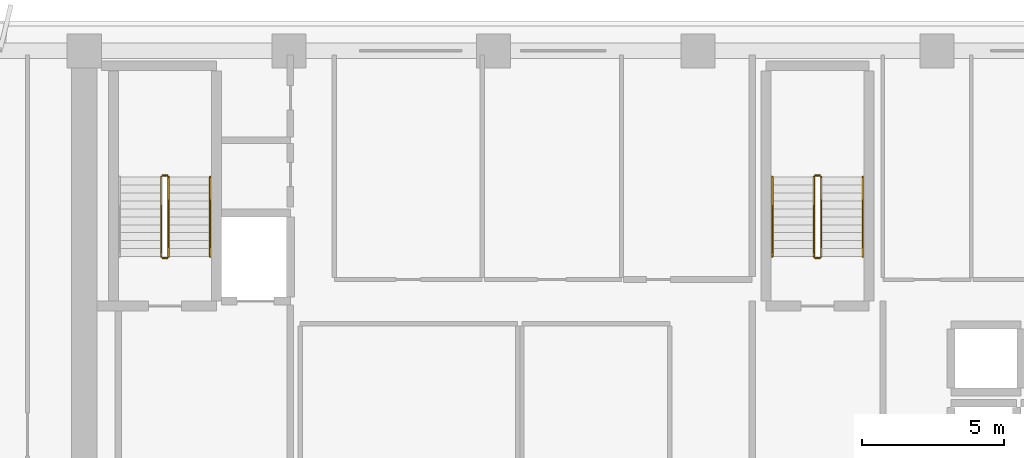
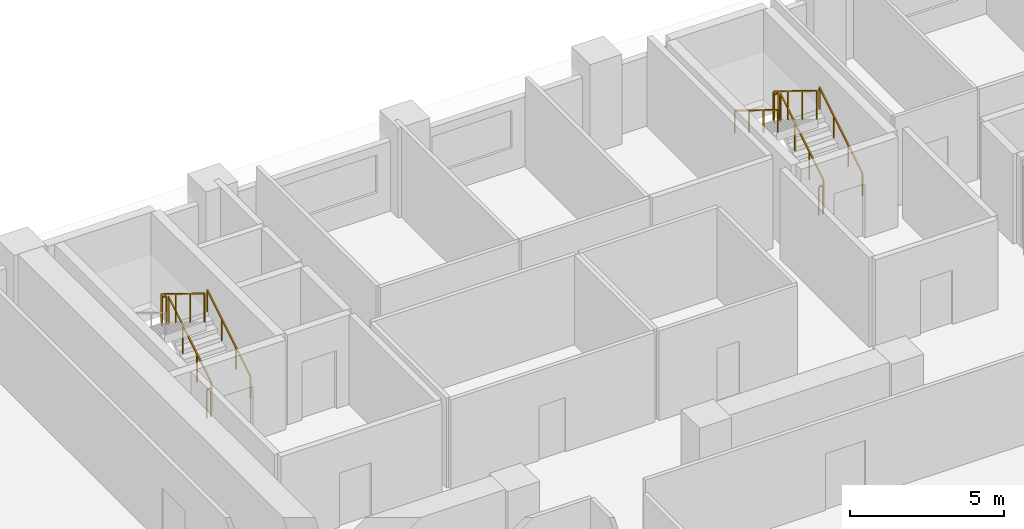
# One storey, part 13 of 15: 11 railings.
"""IFC4 building model written with IfcOpenShell, lengths in metres."""

from ifc_helpers import new_model, si_unit, direction, frame, origin, origin_2d, place, context, subcontext, project, spatial, rectangle, extrude, material, type_object, element, save


model = new_model("IFC4")

# Units and contexts
model_context = context("Model", 3, precision=1e-05, world=origin(), true_north=direction((0.0, 1.0)))
body_context = subcontext(model_context, "Body", "Model", "MODEL_VIEW")
ifc_project = project(units=[si_unit("LENGTHUNIT", "METRE"), si_unit("AREAUNIT", "SQUARE_METRE"), si_unit("VOLUMEUNIT", "CUBIC_METRE"), si_unit("PLANEANGLEUNIT", "RADIAN"), si_unit("MASSUNIT", "GRAM", prefix="KILO")], contexts=[model_context])

# Site, building, storey
site_placement = place(None, origin())
site = spatial("IfcSite", under=ifc_project, at=site_placement, CompositionType="ELEMENT")
building_placement = place(site_placement, origin())
building = spatial("IfcBuilding", under=site, at=building_placement, Name="Kaelvorn Grand Hotel", CompositionType="ELEMENT")
storey_placement = place(building_placement, frame((0.0, 0.0, 158.14990234375)))
storey = spatial("IfcBuildingStorey", under=building, at=storey_placement, Name="L38", CompositionType="ELEMENT", Elevation=158.14990234375)

# Railings
ifc_material = material(Name="Stainless Steel", Category="steel")
railing_type_1 = type_object("IfcRailingType", Name="RL-HANDRAIL-900", PredefinedType="HANDRAIL", material=ifc_material)
for number, where, name in (
    (1, (20.6298828125, 41.760009765625, 0.1728515625), "L38 ST1 stair handrail 1"),
    (2, (43.590087890625, 41.760009765625, 0.1728515625), "L38 ST2 stair handrail 1"),
):
    element("IfcRailing", number, at=place(storey_placement, frame(where)), inside=storey, type_object=railing_type_1, Name=name, PredefinedType="HANDRAIL", context=body_context, shape_type="SweptSolid", body=[
        extrude(rectangle(XDim=0.048095703125, YDim=0.048095703125, at=origin_2d()), frame((0.0, 0.0, 0.8759765625), z_axis=(0.0, 0.851089632645, 0.525020415988), x_axis=(-1.0, 0.0, 0.0)), (0.0, 0.0, 1.0), 3.2900390625),
        extrude(rectangle(XDim=0.0419921875, YDim=0.0419921875, at=origin_2d()), origin(), (0.0, 0.0, 1.0), 0.851806640625),
        extrude(rectangle(XDim=0.0419921875, YDim=0.0419921875, at=origin_2d()), frame((0.0, 0.933349609375, 0.57568359375)), (0.0, 0.0, 1.0), 0.851806640625),
        extrude(rectangle(XDim=0.0419921875, YDim=0.0419921875, at=origin_2d()), frame((0.0, 1.86669921875, 1.151611328125)), (0.0, 0.0, 1.0), 0.851806640625),
        extrude(rectangle(XDim=0.0419921875, YDim=0.0419921875, at=origin_2d()), frame((0.0, 2.800048828125, 1.727294921875)), (0.0, 0.0, 1.0), 0.851806640625),
    ])
railing_1_placement = place(storey_placement, frame((40.409912109375, 44.56005859375, 2.07275390625)))
element("IfcRailing", 3, at=railing_1_placement, inside=storey, type_object=railing_type_1, Name="L38 ST2 stair handrail 2", PredefinedType="HANDRAIL", context=body_context, shape_type="SweptSolid", body=[
    extrude(rectangle(XDim=0.048095703125, YDim=0.048095703125, at=origin_2d()), frame((0.0, 0.0, 0.8759765625), z_axis=(0.0, -0.851089632645, 0.525020415988), x_axis=(1.0, 0.0, 0.0)), (0.0, 0.0, 1.0), 3.2900390625),
    extrude(rectangle(XDim=0.0419921875, YDim=0.0419921875, at=origin_2d()), origin(), (0.0, 0.0, 1.0), 0.851806640625),
    extrude(rectangle(XDim=0.0419921875, YDim=0.0419921875, at=origin_2d()), frame((0.0, -0.933349609375, 0.57568359375)), (0.0, 0.0, 1.0), 0.851806640625),
    extrude(rectangle(XDim=0.0419921875, YDim=0.0419921875, at=origin_2d()), frame((0.0, -1.86669921875, 1.151611328125)), (0.0, 0.0, 1.0), 0.851806640625),
    extrude(rectangle(XDim=0.0419921875, YDim=0.0419921875, at=origin_2d()), frame((0.0, -2.800048828125, 1.727294921875)), (0.0, 0.0, 1.0), 0.851806640625),
])
railing_type_2 = type_object("IfcRailingType", Name="RL-STAIR-GUARD-1150", PredefinedType="BALUSTRADE", material=ifc_material)
railing_2_placement = place(storey_placement, frame((19.169921875, 41.760009765625, 0.1728515625)))
element("IfcRailing", 4, at=railing_2_placement, inside=storey, type_object=railing_type_2, Name="L38 ST1 stair guard 1", PredefinedType="BALUSTRADE", context=body_context, shape_type="SweptSolid", body=[
    extrude(rectangle(XDim=0.048095703125, YDim=0.048095703125, at=origin_2d()), frame((0.0, 0.0, 1.1259765625), z_axis=(0.0, 0.851089632645, 0.525020415988), x_axis=(-1.0, 0.0, 0.0)), (0.0, 0.0, 1.0), 3.2900390625),
    extrude(rectangle(XDim=0.0419921875, YDim=0.0419921875, at=origin_2d()), origin(), (0.0, 0.0, 1.0), 1.101806640625),
    extrude(rectangle(XDim=0.0419921875, YDim=0.0419921875, at=origin_2d()), frame((0.0, 0.933349609375, 0.57568359375)), (0.0, 0.0, 1.0), 1.101806640625),
    extrude(rectangle(XDim=0.0419921875, YDim=0.0419921875, at=origin_2d()), frame((0.0, 1.86669921875, 1.151611328125)), (0.0, 0.0, 1.0), 1.101806640625),
    extrude(rectangle(XDim=0.0419921875, YDim=0.0419921875, at=origin_2d()), frame((0.0, 2.800048828125, 1.727294921875)), (0.0, 0.0, 1.0), 1.101806640625),
])
railing_3_placement = place(storey_placement, frame((19.1201171875, 44.610107421875, 1.900146484375)))
element("IfcRailing", 5, at=railing_3_placement, inside=storey, type_object=railing_type_2, Name="L38 ST1 stair guard 2", PredefinedType="BALUSTRADE", context=body_context, shape_type="SweptSolid", body=[
    extrude(rectangle(XDim=0.048095703125, YDim=0.048095703125, at=origin_2d()), frame((0.0, 0.0, 1.1259765625), z_axis=(-1.0, 0.0, 0.0), x_axis=(0.0, -1.0, 0.0)), (0.0, 0.0, 1.0), 0.16015625),
    extrude(rectangle(XDim=0.0419921875, YDim=0.0419921875, at=origin_2d()), origin(), (0.0, 0.0, 1.0), 1.101806640625),
    extrude(rectangle(XDim=0.0419921875, YDim=0.0419921875, at=origin_2d()), frame((-0.16015625, 0.0, 0.0)), (0.0, 0.0, 1.0), 1.101806640625),
])
railing_4_placement = place(storey_placement, frame((18.909912109375, 44.56005859375, 2.07275390625)))
element("IfcRailing", 6, at=railing_4_placement, inside=storey, type_object=railing_type_2, Name="L38 ST1 stair guard 3", PredefinedType="BALUSTRADE", context=body_context, shape_type="SweptSolid", body=[
    extrude(rectangle(XDim=0.048095703125, YDim=0.048095703125, at=origin_2d()), frame((0.0, 0.0, 1.1259765625), z_axis=(0.0, -0.851089632645, 0.525020415988), x_axis=(1.0, 0.0, 0.0)), (0.0, 0.0, 1.0), 3.2900390625),
    extrude(rectangle(XDim=0.0419921875, YDim=0.0419921875, at=origin_2d()), origin(), (0.0, 0.0, 1.0), 1.101806640625),
    extrude(rectangle(XDim=0.0419921875, YDim=0.0419921875, at=origin_2d()), frame((0.0, -0.933349609375, 0.57568359375)), (0.0, 0.0, 1.0), 1.101806640625),
    extrude(rectangle(XDim=0.0419921875, YDim=0.0419921875, at=origin_2d()), frame((0.0, -1.86669921875, 1.151611328125)), (0.0, 0.0, 1.0), 1.101806640625),
    extrude(rectangle(XDim=0.0419921875, YDim=0.0419921875, at=origin_2d()), frame((0.0, -2.800048828125, 1.727294921875)), (0.0, 0.0, 1.0), 1.101806640625),
])
railing_5_placement = place(storey_placement, frame((19.1201171875, 41.7099609375, 0.0)))
element("IfcRailing", 7, at=railing_5_placement, inside=storey, type_object=railing_type_2, Name="L38 ST1 stair guard 4", PredefinedType="BALUSTRADE", context=body_context, shape_type="SweptSolid", body=[
    extrude(rectangle(XDim=0.048095703125, YDim=0.048095703125, at=origin_2d()), frame((0.0, 0.0, 1.1259765625), z_axis=(-1.0, 0.0, 0.0), x_axis=(0.0, -1.0, 0.0)), (0.0, 0.0, 1.0), 0.16015625),
    extrude(rectangle(XDim=0.0419921875, YDim=0.0419921875, at=origin_2d()), origin(), (0.0, 0.0, 1.0), 1.101806640625),
    extrude(rectangle(XDim=0.0419921875, YDim=0.0419921875, at=origin_2d()), frame((-0.16015625, 0.0, 0.0)), (0.0, 0.0, 1.0), 1.101806640625),
])
railing_6_placement = place(storey_placement, frame((42.1298828125, 41.760009765625, 0.1728515625)))
element("IfcRailing", 8, at=railing_6_placement, inside=storey, type_object=railing_type_2, Name="L38 ST2 stair guard 1", PredefinedType="BALUSTRADE", context=body_context, shape_type="SweptSolid", body=[
    extrude(rectangle(XDim=0.048095703125, YDim=0.048095703125, at=origin_2d()), frame((0.0, 0.0, 1.1259765625), z_axis=(0.0, 0.851089632645, 0.525020415988), x_axis=(-1.0, 0.0, 0.0)), (0.0, 0.0, 1.0), 3.2900390625),
    extrude(rectangle(XDim=0.0419921875, YDim=0.0419921875, at=origin_2d()), origin(), (0.0, 0.0, 1.0), 1.101806640625),
    extrude(rectangle(XDim=0.0419921875, YDim=0.0419921875, at=origin_2d()), frame((0.0, 0.933349609375, 0.57568359375)), (0.0, 0.0, 1.0), 1.101806640625),
    extrude(rectangle(XDim=0.0419921875, YDim=0.0419921875, at=origin_2d()), frame((0.0, 1.86669921875, 1.151611328125)), (0.0, 0.0, 1.0), 1.101806640625),
    extrude(rectangle(XDim=0.0419921875, YDim=0.0419921875, at=origin_2d()), frame((0.0, 2.800048828125, 1.727294921875)), (0.0, 0.0, 1.0), 1.101806640625),
])
railing_7_placement = place(storey_placement, frame((42.080078125, 44.610107421875, 1.900146484375)))
element("IfcRailing", 9, at=railing_7_placement, inside=storey, type_object=railing_type_2, Name="L38 ST2 stair guard 2", PredefinedType="BALUSTRADE", context=body_context, shape_type="SweptSolid", body=[
    extrude(rectangle(XDim=0.048095703125, YDim=0.048095703125, at=origin_2d()), frame((0.0, 0.0, 1.1259765625), z_axis=(-1.0, 0.0, 0.0), x_axis=(0.0, -1.0, 0.0)), (0.0, 0.0, 1.0), 0.16015625),
    extrude(rectangle(XDim=0.0419921875, YDim=0.0419921875, at=origin_2d()), origin(), (0.0, 0.0, 1.0), 1.101806640625),
    extrude(rectangle(XDim=0.0419921875, YDim=0.0419921875, at=origin_2d()), frame((-0.16015625, 0.0, 0.0)), (0.0, 0.0, 1.0), 1.101806640625),
])
railing_8_placement = place(storey_placement, frame((41.8701171875, 44.56005859375, 2.07275390625)))
element("IfcRailing", 10, at=railing_8_placement, inside=storey, type_object=railing_type_2, Name="L38 ST2 stair guard 3", PredefinedType="BALUSTRADE", context=body_context, shape_type="SweptSolid", body=[
    extrude(rectangle(XDim=0.048095703125, YDim=0.048095703125, at=origin_2d()), frame((0.0, 0.0, 1.1259765625), z_axis=(0.0, -0.851089632645, 0.525020415988), x_axis=(1.0, 0.0, 0.0)), (0.0, 0.0, 1.0), 3.2900390625),
    extrude(rectangle(XDim=0.0419921875, YDim=0.0419921875, at=origin_2d()), origin(), (0.0, 0.0, 1.0), 1.101806640625),
    extrude(rectangle(XDim=0.0419921875, YDim=0.0419921875, at=origin_2d()), frame((0.0, -0.933349609375, 0.57568359375)), (0.0, 0.0, 1.0), 1.101806640625),
    extrude(rectangle(XDim=0.0419921875, YDim=0.0419921875, at=origin_2d()), frame((0.0, -1.86669921875, 1.151611328125)), (0.0, 0.0, 1.0), 1.101806640625),
    extrude(rectangle(XDim=0.0419921875, YDim=0.0419921875, at=origin_2d()), frame((0.0, -2.800048828125, 1.727294921875)), (0.0, 0.0, 1.0), 1.101806640625),
])
railing_9_placement = place(storey_placement, frame((42.080078125, 41.7099609375, 0.0)))
element("IfcRailing", 11, at=railing_9_placement, inside=storey, type_object=railing_type_2, Name="L38 ST2 stair guard 4", PredefinedType="BALUSTRADE", context=body_context, shape_type="SweptSolid", body=[
    extrude(rectangle(XDim=0.048095703125, YDim=0.048095703125, at=origin_2d()), frame((0.0, 0.0, 1.1259765625), z_axis=(-1.0, 0.0, 0.0), x_axis=(0.0, -1.0, 0.0)), (0.0, 0.0, 1.0), 0.16015625),
    extrude(rectangle(XDim=0.0419921875, YDim=0.0419921875, at=origin_2d()), origin(), (0.0, 0.0, 1.0), 1.101806640625),
    extrude(rectangle(XDim=0.0419921875, YDim=0.0419921875, at=origin_2d()), frame((-0.16015625, 0.0, 0.0)), (0.0, 0.0, 1.0), 1.101806640625),
])

save(model, "model.ifc")
